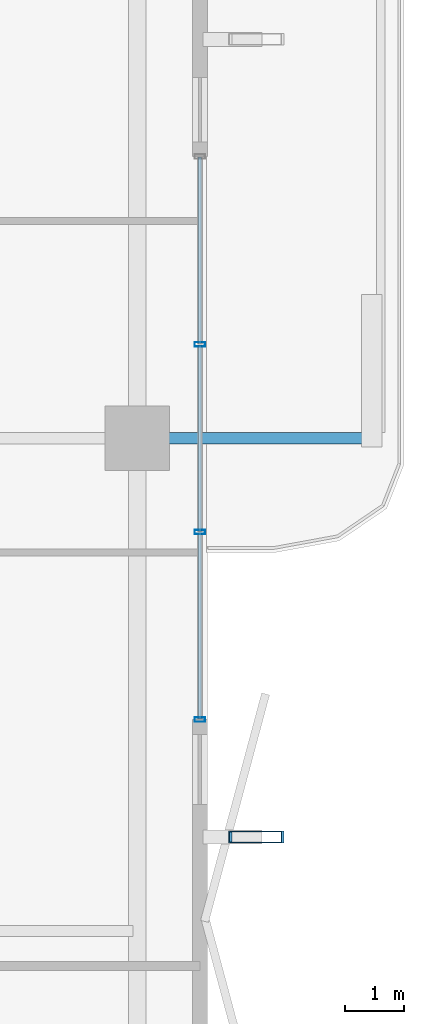
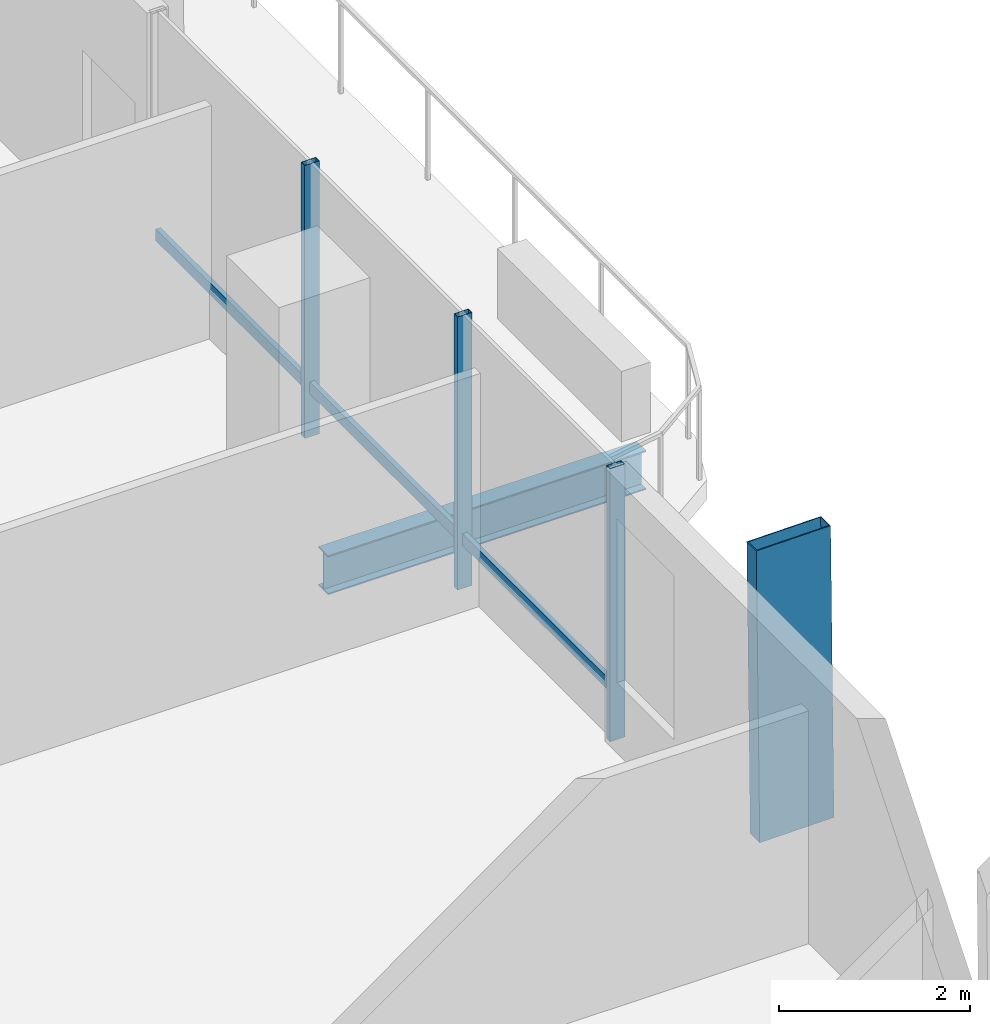
# One storey, part 10 of 24: 7 members, 1 beam, 1 element without a shape of its own.
"""IFC4 building model written with IfcOpenShell, lengths in metres."""

from ifc_helpers import new_model, si_unit, direction, frame, origin, origin_2d, place, context, subcontext, project, spatial, hollow_rectangle, i_section, extrude, material, layer, layer_set, material_profile, profile_set, type_object, element, aggregate, save


model = new_model("IFC4")

# Units and contexts
model_context = context("Model", 3, precision=1e-05, world=origin(), true_north=direction((0.0, 1.0)))
body_context = subcontext(model_context, "Body", "Model", "MODEL_VIEW")
ifc_project = project(units=[si_unit("LENGTHUNIT", "METRE"), si_unit("AREAUNIT", "SQUARE_METRE"), si_unit("VOLUMEUNIT", "CUBIC_METRE"), si_unit("PLANEANGLEUNIT", "RADIAN"), si_unit("MASSUNIT", "GRAM", prefix="KILO")], contexts=[model_context])

# Site, building, storey
site_placement = place(None, origin())
site = spatial("IfcSite", under=ifc_project, at=site_placement, CompositionType="ELEMENT")
building_placement = place(site_placement, origin())
building = spatial("IfcBuilding", under=site, at=building_placement, Name="Belovzor Exchange Tower", CompositionType="ELEMENT")
storey_placement = place(building_placement, frame((0.0, 0.0, 179.550048828125)))
storey = spatial("IfcBuildingStorey", under=building, at=storey_placement, Name="L44", CompositionType="ELEMENT", Elevation=179.550048828125)

# Beam
ifc_material_1 = material(Name="Steel S355", Category="steel")
ifc_material_profile_1 = material_profile(ifc_material_1, i_section(OverallWidth=0.199951171875, OverallDepth=0.5, WebThickness=0.01025390625, FlangeThickness=0.01611328125, at=origin_2d()))
ifc_profile_set_1 = profile_set([ifc_material_profile_1], Name="Steel S355")
beam_type = type_object("IfcBeamType", Name="Planted Balcony Cantilever Beam IPE 500", PredefinedType="BEAM", material=ifc_profile_set_1)
beam_placement = place(storey_placement, frame((52.202880859375, 28.800048828125, -0.505126953125), z_axis=(1.0, 0.0, 0.0), x_axis=(0.0, 1.0, 0.0)))
element("IfcBeam", 1, at=beam_placement, inside=storey, type_object=beam_type, Name="BC-500 Planted Balcony Cantilever Beam IPE 500", PredefinedType="BEAM", context=body_context, shape_type="SweptSolid", body=[
    extrude(i_section(OverallWidth=0.199951171875, OverallDepth=0.5, WebThickness=0.01025390625, FlangeThickness=0.01611328125, at=origin_2d()), origin(), (0.0, 0.0, 1.0), 3.85009765625),
])

# Member
ifc_material_2 = material(Name="Extruded Architectural Terracotta on Steel S355 Carrier", Category="masonry")
ifc_material_profile_2 = material_profile(ifc_material_2, hollow_rectangle(XDim=0.199951171875, YDim=0.89990234375, WallThickness=0.011962890625, at=origin_2d()))
ifc_profile_set_2 = profile_set([ifc_material_profile_2], Name="Extruded Architectural Terracotta on Steel S355 Carrier")
member_type_1 = type_object("IfcMemberType", Name="Sweeping Terracotta Baguette Fin Assembly 1250", PredefinedType="USERDEFINED", material=ifc_profile_set_2)
member_1_placement = place(storey_placement, frame((53.952880859375, 22.0, -0.255126953125), z_axis=(-0.011197214661, 0.0, 0.999937309227), x_axis=(0.0, -1.0, 0.0)))
element("IfcMember", 2, at=member_1_placement, inside=storey, type_object=member_type_1, Name="FIN-TC125 Terracotta Facade Fin L44 E2", ObjectType="FIN", PredefinedType="USERDEFINED", context=body_context, shape_type="SweptSolid", body=[
    extrude(hollow_rectangle(XDim=0.199951171875, YDim=0.89990234375, WallThickness=0.011962890625, at=origin_2d()), origin(), (0.0, 0.0, 1.0), 3.750244140625),
])

# Curtain wall, members
ifc_material_3 = material(Name="Anodised Aluminium Framing", Category="aluminium")
ifc_layer = layer(ifc_material_3, 0.179931640625)
ifc_layer_set = layer_set([ifc_layer], Name="Anodised Aluminium Framing")
curtain_wall_type = type_object("IfcCurtainWallType", Name="Recessed Loggia Low-Iron Triple-Glazed Curtain Wall", PredefinedType="NOTDEFINED", material=ifc_layer_set)
curtain_wall_placement = place(storey_placement, origin())
curtain_wall = element("IfcCurtainWall", 3, at=curtain_wall_placement, inside=storey, type_object=curtain_wall_type, Name="CW3 Recessed Loggia Low-Iron Triple-Glazed Curtain Wall L44", PredefinedType="NOTDEFINED")
ifc_material_4 = material(Name="Steel S355", Category="steel")
ifc_material_profile_3 = material_profile(ifc_material_4, hollow_rectangle(XDim=0.074951171875, YDim=0.179931640625, WallThickness=0.0048828125, at=origin_2d()))
ifc_profile_set_3 = profile_set([ifc_material_profile_3], Name="Steel S355")
member_type_2 = type_object("IfcMemberType", Name="Thermally Broken Curtain Wall Mullion 180x75", PredefinedType="MULLION", material=ifc_profile_set_3)
member_2_placement = place(storey_placement, frame((52.969970703125, 30.39990234375, 0.0), z_axis=(0.0, 0.0, 1.0), x_axis=(0.0, -1.0, 0.0)))
member_2 = element("IfcMember", 4, at=member_2_placement, type_object=member_type_2, Name="CW-M180 Curtain Wall Mullion 2", PredefinedType="MULLION", context=body_context, shape_type="SweptSolid", body=[
    extrude(hollow_rectangle(XDim=0.074951171875, YDim=0.179931640625, WallThickness=0.0048828125, at=origin_2d()), origin(), (0.0, 0.0, 1.0), 3.494873046875),
])
member_3_placement = place(storey_placement, frame((52.969970703125, 27.199951171875, 0.0), z_axis=(0.0, 0.0, 1.0), x_axis=(0.0, -1.0, 0.0)))
member_3 = element("IfcMember", 5, at=member_3_placement, type_object=member_type_2, Name="CW-M180 Curtain Wall Mullion 3", PredefinedType="MULLION", context=body_context, shape_type="SweptSolid", body=[
    extrude(hollow_rectangle(XDim=0.074951171875, YDim=0.179931640625, WallThickness=0.0048828125, at=origin_2d()), origin(), (0.0, 0.0, 1.0), 3.494873046875),
])
member_4_placement = place(storey_placement, frame((52.969970703125, 24.0, 0.0), z_axis=(0.0, 0.0, 1.0), x_axis=(0.0, -1.0, 0.0)))
member_4 = element("IfcMember", 6, at=member_4_placement, type_object=member_type_2, Name="CW-M180 Curtain Wall Mullion 4", PredefinedType="MULLION", context=body_context, shape_type="SweptSolid", body=[
    extrude(hollow_rectangle(XDim=0.074951171875, YDim=0.179931640625, WallThickness=0.0048828125, at=origin_2d()), origin(), (0.0, 0.0, 1.0), 3.494873046875),
])
ifc_material_5 = material(Name="Steel S355", Category="steel")
ifc_material_profile_4 = material_profile(ifc_material_5, hollow_rectangle(XDim=0.06005859375, YDim=0.14990234375, WallThickness=0.00390625, at=origin_2d()))
ifc_profile_set_4 = profile_set([ifc_material_profile_4], Name="Steel S355")
member_type_3 = type_object("IfcMemberType", Name="Thermally Broken Curtain Wall Transom 150x60", PredefinedType="USERDEFINED", material=ifc_profile_set_4)
member_5_placement = place(storey_placement, frame((52.969970703125, 33.592041015625, 0.62890625), z_axis=(0.0, -1.0, 0.0), x_axis=(1.0, 0.0, 0.0)))
member_5 = element("IfcMember", 7, at=member_5_placement, type_object=member_type_3, Name="CW-T150 Curtain Wall Transom 1", ObjectType="TRANSOM", PredefinedType="USERDEFINED", context=body_context, shape_type="SweptSolid", body=[
    extrude(hollow_rectangle(XDim=0.06005859375, YDim=0.14990234375, WallThickness=0.00390625, at=origin_2d()), origin(), (0.0, 0.0, 1.0), 3.18408203125),
])
member_6_placement = place(storey_placement, frame((52.969970703125, 30.39208984375, 0.62890625), z_axis=(0.0, -1.0, 0.0), x_axis=(1.0, 0.0, 0.0)))
member_6 = element("IfcMember", 8, at=member_6_placement, type_object=member_type_3, Name="CW-T150 Curtain Wall Transom 2", ObjectType="TRANSOM", PredefinedType="USERDEFINED", context=body_context, shape_type="SweptSolid", body=[
    extrude(hollow_rectangle(XDim=0.06005859375, YDim=0.14990234375, WallThickness=0.00390625, at=origin_2d()), origin(), (0.0, 0.0, 1.0), 3.18408203125),
])
member_7_placement = place(storey_placement, frame((52.969970703125, 27.19189453125, 0.62890625), z_axis=(0.0, -1.0, 0.0), x_axis=(1.0, 0.0, 0.0)))
member_7 = element("IfcMember", 9, at=member_7_placement, type_object=member_type_3, Name="CW-T150 Curtain Wall Transom 3", ObjectType="TRANSOM", PredefinedType="USERDEFINED", context=body_context, shape_type="SweptSolid", body=[
    extrude(hollow_rectangle(XDim=0.06005859375, YDim=0.14990234375, WallThickness=0.00390625, at=origin_2d()), origin(), (0.0, 0.0, 1.0), 3.183837890625),
])
aggregate(curtain_wall, [member_2, member_3, member_4, member_5, member_6, member_7])

save(model, "model.ifc")
